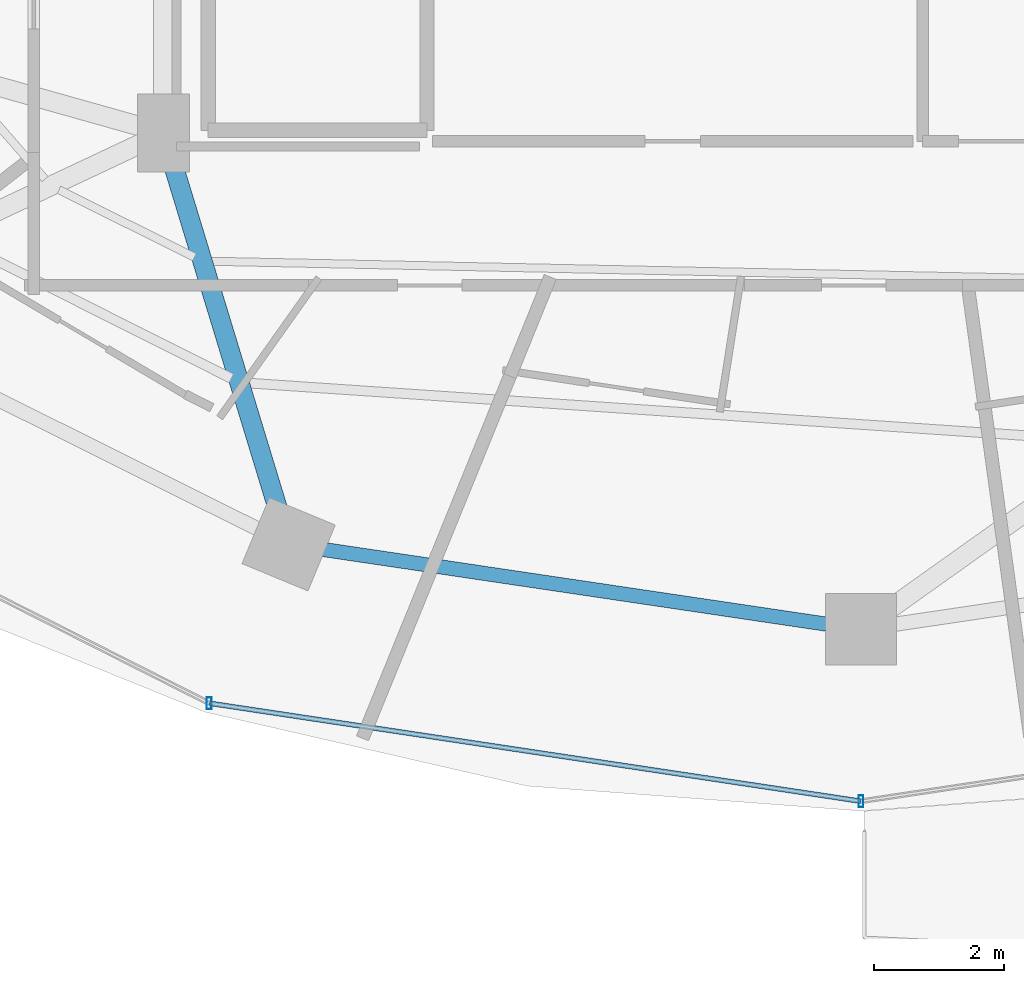
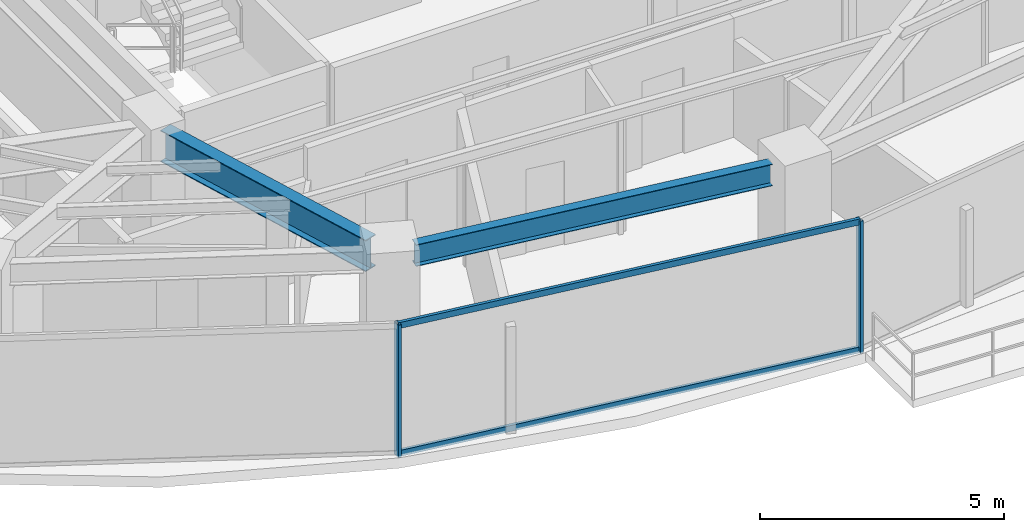
# One storey, part 4 of 30: 4 members, 2 beams, 1 element without a shape of its own.
"""IFC4 building model written with IfcOpenShell, lengths in metres."""

from ifc_helpers import new_model, si_unit, direction, frame, origin, origin_2d, place, context, subcontext, project, spatial, hollow_rectangle, i_section, extrude, material, material_profile, profile_set, type_object, element, aggregate, save


model = new_model("IFC4")

# Units and contexts
model_context = context("Model", 3, precision=1e-05, world=origin(), true_north=direction((0.0, 1.0)))
body_context = subcontext(model_context, "Body", "Model", "MODEL_VIEW")
ifc_project = project(units=[si_unit("LENGTHUNIT", "METRE"), si_unit("AREAUNIT", "SQUARE_METRE"), si_unit("VOLUMEUNIT", "CUBIC_METRE"), si_unit("PLANEANGLEUNIT", "RADIAN"), si_unit("MASSUNIT", "GRAM", prefix="KILO")], contexts=[model_context])

# Site, building, storey
site_placement = place(None, origin())
site = spatial("IfcSite", under=ifc_project, at=site_placement, CompositionType="ELEMENT")
building_placement = place(site_placement, origin())
building = spatial("IfcBuilding", under=site, at=building_placement, Name="Vorneva Point Tower", CompositionType="ELEMENT")
storey_placement = place(building_placement, frame((0.0, 0.0, 92.800048828125)))
storey = spatial("IfcBuildingStorey", under=building, at=storey_placement, Name="L24", CompositionType="ELEMENT", Elevation=92.800048828125)

# Beams
ifc_material_1 = material(Name="Steel S355", Category="steel")
ifc_material_profile_1 = material_profile(ifc_material_1, i_section(OverallWidth=0.300048828125, OverallDepth=0.7880859375, WebThickness=0.014404296875, FlangeThickness=0.02197265625, at=origin_2d()), Name="80Sh1")
ifc_profile_set_1 = profile_set([ifc_material_profile_1], Name="Steel S355")
beam_type_1 = type_object("IfcBeamType", Name="BM-GRD-80Sh1", PredefinedType="USERDEFINED", material=ifc_profile_set_1)
beam_1_placement = place(storey_placement, frame((29.0224609375, 10.6240234375, 2.845947265625), z_axis=(-0.291034888253, 0.956712440506, 0.0), x_axis=(-0.956712440506, -0.291034888253, 0.0)))
element("IfcBeam", 1, at=beam_1_placement, inside=storey, type_object=beam_type_1, Name="L24 Radial Primary Girder 12", ObjectType="GIRDER", PredefinedType="USERDEFINED", context=body_context, shape_type="SweptSolid", body=[
    extrude(i_section(OverallWidth=0.300048828125, OverallDepth=0.7880859375, WebThickness=0.014404296875, FlangeThickness=0.02197265625, at=origin_2d()), origin(), (0.0, 0.0, 1.0), 5.74951171875),
])
ifc_material_profile_2 = material_profile(ifc_material_1, i_section(OverallWidth=0.219970703125, OverallDepth=0.54296875, WebThickness=0.009521484375, FlangeThickness=0.013427734375, at=origin_2d()), Name="55B1")
ifc_profile_set_2 = profile_set([ifc_material_profile_2], Name="Steel S355")
beam_type_2 = type_object("IfcBeamType", Name="BM-SPN-55B1", PredefinedType="SPANDREL", material=ifc_profile_set_2)
beam_2_placement = place(storey_placement, frame((29.708251953125, 10.03076171875, 2.968505859375), z_axis=(0.989164507783, -0.146811363806, 0.0), x_axis=(0.146811363806, 0.989164507783, 0.0)))
element("IfcBeam", 2, at=beam_2_placement, inside=storey, type_object=beam_type_2, Name="L24 Perimeter Spandrel Ring Beam 12", PredefinedType="SPANDREL", context=body_context, shape_type="SweptSolid", body=[
    extrude(i_section(OverallWidth=0.219970703125, OverallDepth=0.54296875, WebThickness=0.009521484375, FlangeThickness=0.013427734375, at=origin_2d()), origin(), (0.0, 0.0, 1.0), 7.847412109375),
])

# Curtain wall, members
ifc_material_2 = material(Name="Pale anodised aluminium", Category="aluminium")
curtain_wall_type = type_object("IfcCurtainWallType", Name="CW-HTL-SYS", PredefinedType="NOTDEFINED", material=ifc_material_2)
curtain_wall_placement = place(storey_placement, origin())
curtain_wall = element("IfcCurtainWall", 3, at=curtain_wall_placement, inside=storey, type_object=curtain_wall_type, Name="L24 Unitised Curtain Wall CW-L24-R04", PredefinedType="NOTDEFINED")
ifc_material_profile_3 = material_profile(ifc_material_2, hollow_rectangle(XDim=0.074951171875, YDim=0.179931640625, WallThickness=0.00390625, at=origin_2d()), Name="AL-MUL 180x75x4")
ifc_profile_set_3 = profile_set([ifc_material_profile_3], Name="Pale anodised aluminium")
member_type_1 = type_object("IfcMemberType", Name="CW-MUL-180", PredefinedType="MULLION", material=ifc_profile_set_3)
member_1_placement = place(storey_placement, frame((27.95458984375, 7.660888671875, -0.0400390625), z_axis=(0.0, 0.0, 1.0), x_axis=(1.0, 0.0, 0.0)))
member_1 = element("IfcMember", 4, at=member_1_placement, type_object=member_type_1, Name="CW-L24-R04 Mullion 02", PredefinedType="MULLION", context=body_context, shape_type="SweptSolid", body=[
    extrude(hollow_rectangle(XDim=0.074951171875, YDim=0.179931640625, WallThickness=0.00390625, at=origin_2d()), origin(), (0.0, 0.0, 1.0), 3.31005859375),
])
member_2_placement = place(storey_placement, frame((38.0, 6.14990234375, -0.0400390625), z_axis=(0.0, 0.0, 1.0), x_axis=(1.0, 0.0, 0.0)))
member_2 = element("IfcMember", 5, at=member_2_placement, type_object=member_type_1, Name="CW-L24-R04 Mullion 03", PredefinedType="MULLION", context=body_context, shape_type="SweptSolid", body=[
    extrude(hollow_rectangle(XDim=0.074951171875, YDim=0.179931640625, WallThickness=0.00390625, at=origin_2d()), origin(), (0.0, 0.0, 1.0), 3.31005859375),
])
ifc_material_profile_4 = material_profile(ifc_material_2, hollow_rectangle(XDim=0.074951171875, YDim=0.14990234375, WallThickness=0.00390625, at=origin_2d()), Name="AL-TRN 150x75x4")
ifc_profile_set_4 = profile_set([ifc_material_profile_4], Name="Pale anodised aluminium")
member_type_2 = type_object("IfcMemberType", Name="CW-TRN-150", PredefinedType="USERDEFINED", material=ifc_profile_set_4)
member_3_placement = place(storey_placement, frame((27.95458984375, 7.660888671875, 0.02001953125), z_axis=(0.988875982167, -0.148742367512, 0.0), x_axis=(0.148742367512, 0.988875982167, 0.0)))
member_3 = element("IfcMember", 6, at=member_3_placement, type_object=member_type_2, Name="CW-L24-R04 Transom 02.1", ObjectType="TRANSOM", PredefinedType="USERDEFINED", context=body_context, shape_type="SweptSolid", body=[
    extrude(hollow_rectangle(XDim=0.074951171875, YDim=0.14990234375, WallThickness=0.00390625, at=origin_2d()), origin(), (0.0, 0.0, 1.0), 10.158447265625),
])
member_4_placement = place(storey_placement, frame((27.95458984375, 7.660888671875, 3.219970703125), z_axis=(0.988875982167, -0.148742367512, 0.0), x_axis=(0.148742367512, 0.988875982167, 0.0)))
member_4 = element("IfcMember", 7, at=member_4_placement, type_object=member_type_2, Name="CW-L24-R04 Transom 02.2", ObjectType="TRANSOM", PredefinedType="USERDEFINED", context=body_context, shape_type="SweptSolid", body=[
    extrude(hollow_rectangle(XDim=0.074951171875, YDim=0.14990234375, WallThickness=0.00390625, at=origin_2d()), origin(), (0.0, 0.0, 1.0), 10.158447265625),
])
aggregate(curtain_wall, [member_1, member_2, member_3, member_4])

save(model, "model.ifc")
